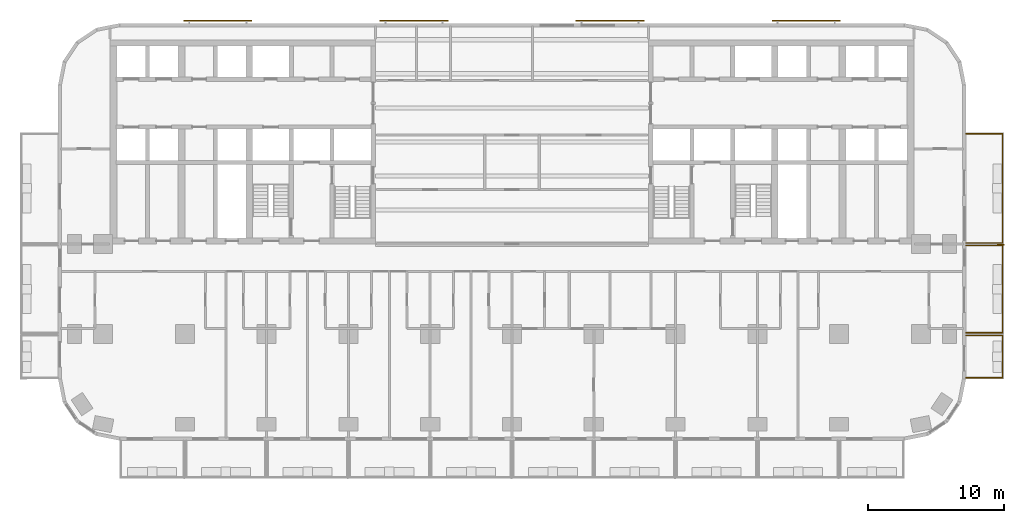
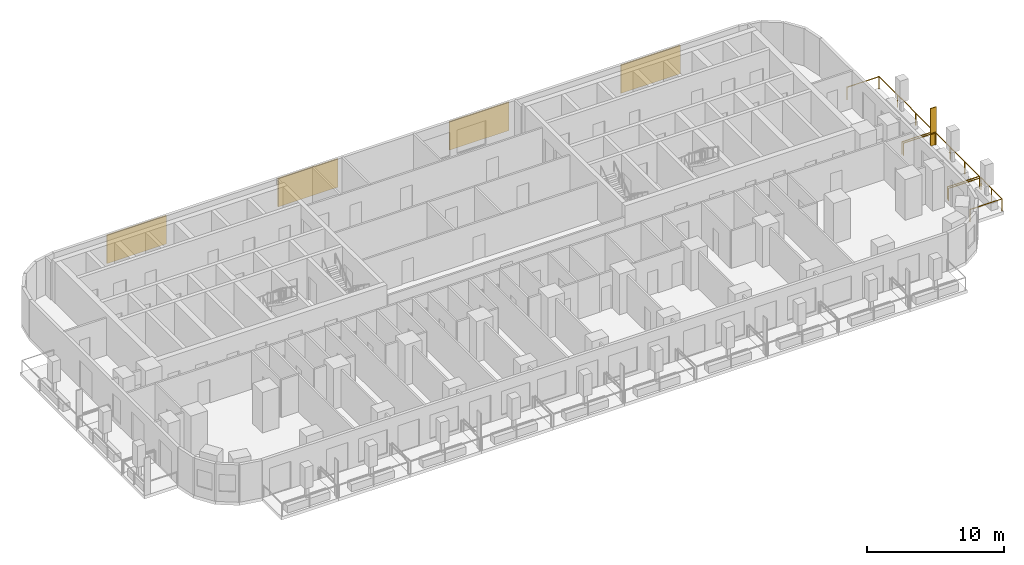
# One storey, part 12 of 13: 5 shading devices, 3 railings.
"""IFC4 building model written with IfcOpenShell, lengths in metres."""

from ifc_helpers import new_model, si_unit, direction, frame, origin, origin_2d, place, context, subcontext, project, spatial, rectangle, circle, extrude, material, layer, layer_set, type_object, element, save


model = new_model("IFC4")

# Units and contexts
model_context = context("Model", 3, precision=1e-05, world=origin(), true_north=direction((0.0, 1.0)))
body_context = subcontext(model_context, "Body", "Model", "MODEL_VIEW")
ifc_project = project(units=[si_unit("LENGTHUNIT", "METRE"), si_unit("AREAUNIT", "SQUARE_METRE"), si_unit("VOLUMEUNIT", "CUBIC_METRE"), si_unit("PLANEANGLEUNIT", "RADIAN"), si_unit("MASSUNIT", "GRAM", prefix="KILO")], contexts=[model_context])

# Site, building, storey
site_placement = place(None, origin())
site = spatial("IfcSite", under=ifc_project, at=site_placement, CompositionType="ELEMENT")
building_placement = place(site_placement, origin())
building = spatial("IfcBuilding", under=site, at=building_placement, Name="Torana Hotel and Residences", CompositionType="ELEMENT")
storey_placement = place(building_placement, frame((0.0, 0.0, 56.39990234375)))
storey = spatial("IfcBuildingStorey", under=building, at=storey_placement, Name="L13", CompositionType="ELEMENT", Elevation=56.39990234375)

# Shading device
ifc_material_1 = material(Name="Black powder coated aluminium", Category="aluminium")
ifc_layer_1 = layer(ifc_material_1, 0.080078125)
ifc_layer_set_1 = layer_set([ifc_layer_1], Name="FN1 VERTICAL FIN 500x80")
shading_device_type_1 = type_object("IfcShadingDeviceType", Name="FN1 VERTICAL FIN 500x80", PredefinedType="USERDEFINED", material=ifc_layer_set_1)
shading_device_placement = place(storey_placement, frame((35.85009765625, -15.0400390625, 0.0), z_axis=(0.0, 0.0, 1.0), x_axis=(0.0, -1.0, 0.0)))
element("IfcShadingDevice", 1, at=shading_device_placement, inside=storey, type_object=shading_device_type_1, Name="Fin 15", ObjectType="FIN", PredefinedType="USERDEFINED", context=body_context, shape_type="SweptSolid", body=[
    extrude(rectangle(XDim=0.080078125, YDim=0.5, at=origin_2d()), origin(), (0.0, 0.0, 1.0), 3.320068359375),
])

# Railings
ifc_material_2 = material(Name="Laminated glass balustrade with black handrail", Category="glass")
railing_type = type_object("IfcRailingType", Name="GR1 BALCONY GUARD 1100 GLASS", PredefinedType="GUARDRAIL", material=ifc_material_2)
railing_1_placement = place(storey_placement, frame((33.300048828125, -21.699951171875, 0.0)))
element("IfcRailing", 2, at=railing_1_placement, inside=storey, type_object=railing_type, Name="Balcony guard 14", PredefinedType="GUARDRAIL", context=body_context, shape_type="SweptSolid", body=[
    extrude(circle(Radius=0.02392578125, at=origin_2d()), frame((0.0, 0.0, 1.076171875), z_axis=(1.0, 0.0, 0.0), x_axis=(0.0, 1.0, 0.0)), (0.0, 0.0, 1.0), 2.699951171875),
    extrude(circle(Radius=0.02392578125, at=origin_2d()), frame((2.699951171875, 0.0, 1.076171875), z_axis=(0.0, -1.0, 0.0), x_axis=(1.0, 0.0, 0.0)), (0.0, 0.0, 1.0), 3.10009765625),
    extrude(circle(Radius=0.02392578125, at=origin_2d()), frame((2.699951171875, -3.10009765625, 1.076171875), z_axis=(-1.0, 0.0, 0.0), x_axis=(0.0, -1.0, 0.0)), (0.0, 0.0, 1.0), 2.699951171875),
    extrude(circle(Radius=0.02099609375, at=origin_2d()), origin(), (0.0, 0.0, 1.0), 1.052001953125),
    extrude(circle(Radius=0.02099609375, at=origin_2d()), frame((2.699951171875, 0.0, 0.0)), (0.0, 0.0, 1.0), 1.052001953125),
    extrude(circle(Radius=0.02099609375, at=origin_2d()), frame((2.699951171875, -1.550048828125, 0.0)), (0.0, 0.0, 1.0), 1.052001953125),
    extrude(circle(Radius=0.02099609375, at=origin_2d()), frame((2.699951171875, -3.10009765625, 0.0)), (0.0, 0.0, 1.0), 1.052001953125),
    extrude(circle(Radius=0.02099609375, at=origin_2d()), frame((0.0, -3.10009765625, 0.0)), (0.0, 0.0, 1.0), 1.052001953125),
])
railing_2_placement = place(storey_placement, frame((33.300048828125, -15.10009765625, 0.0)))
element("IfcRailing", 3, at=railing_2_placement, inside=storey, type_object=railing_type, Name="Balcony guard 15", PredefinedType="GUARDRAIL", context=body_context, shape_type="SweptSolid", body=[
    extrude(circle(Radius=0.02392578125, at=origin_2d()), frame((0.0, 0.0, 1.076171875), z_axis=(1.0, 0.0, 0.0), x_axis=(0.0, 1.0, 0.0)), (0.0, 0.0, 1.0), 2.699951171875),
    extrude(circle(Radius=0.02392578125, at=origin_2d()), frame((2.699951171875, 0.0, 1.076171875), z_axis=(0.0, -1.0, 0.0), x_axis=(1.0, 0.0, 0.0)), (0.0, 0.0, 1.0), 6.39990234375),
    extrude(circle(Radius=0.02392578125, at=origin_2d()), frame((2.699951171875, -6.39990234375, 1.076171875), z_axis=(-1.0, 0.0, 0.0), x_axis=(0.0, -1.0, 0.0)), (0.0, 0.0, 1.0), 2.699951171875),
    extrude(circle(Radius=0.02099609375, at=origin_2d()), origin(), (0.0, 0.0, 1.0), 1.052001953125),
    extrude(circle(Radius=0.02099609375, at=origin_2d()), frame((2.699951171875, 0.0, 0.0)), (0.0, 0.0, 1.0), 1.052001953125),
    extrude(circle(Radius=0.02099609375, at=origin_2d()), frame((2.699951171875, -2.13330078125, 0.0)), (0.0, 0.0, 1.0), 1.052001953125),
    extrude(circle(Radius=0.02099609375, at=origin_2d()), frame((2.699951171875, -4.2666015625, 0.0)), (0.0, 0.0, 1.0), 1.052001953125),
    extrude(circle(Radius=0.02099609375, at=origin_2d()), frame((2.699951171875, -6.39990234375, 0.0)), (0.0, 0.0, 1.0), 1.052001953125),
    extrude(circle(Radius=0.02099609375, at=origin_2d()), frame((0.0, -6.39990234375, 0.0)), (0.0, 0.0, 1.0), 1.052001953125),
])
railing_3_placement = place(storey_placement, frame((33.300048828125, -6.89990234375, 0.0)))
element("IfcRailing", 4, at=railing_3_placement, inside=storey, type_object=railing_type, Name="Balcony guard 16", PredefinedType="GUARDRAIL", context=body_context, shape_type="SweptSolid", body=[
    extrude(circle(Radius=0.02392578125, at=origin_2d()), frame((0.0, 0.0, 1.076171875), z_axis=(1.0, 0.0, 0.0), x_axis=(0.0, 1.0, 0.0)), (0.0, 0.0, 1.0), 2.699951171875),
    extrude(circle(Radius=0.02392578125, at=origin_2d()), frame((2.699951171875, 0.0, 1.076171875), z_axis=(0.0, -1.0, 0.0), x_axis=(1.0, 0.0, 0.0)), (0.0, 0.0, 1.0), 8.0),
    extrude(circle(Radius=0.02392578125, at=origin_2d()), frame((2.699951171875, -8.0, 1.076171875), z_axis=(-1.0, 0.0, 0.0), x_axis=(0.0, -1.0, 0.0)), (0.0, 0.0, 1.0), 2.699951171875),
    extrude(circle(Radius=0.02099609375, at=origin_2d()), origin(), (0.0, 0.0, 1.0), 1.052001953125),
    extrude(circle(Radius=0.02099609375, at=origin_2d()), frame((2.699951171875, 0.0, 0.0)), (0.0, 0.0, 1.0), 1.052001953125),
    extrude(circle(Radius=0.02099609375, at=origin_2d()), frame((2.699951171875, -2.666748046875, 0.0)), (0.0, 0.0, 1.0), 1.052001953125),
    extrude(circle(Radius=0.02099609375, at=origin_2d()), frame((2.699951171875, -5.333251953125, 0.0)), (0.0, 0.0, 1.0), 1.052001953125),
    extrude(circle(Radius=0.02099609375, at=origin_2d()), frame((2.699951171875, -8.0, 0.0)), (0.0, 0.0, 1.0), 1.052001953125),
    extrude(circle(Radius=0.02099609375, at=origin_2d()), frame((0.0, -8.0, 0.0)), (0.0, 0.0, 1.0), 1.052001953125),
])

# Shading devices
ifc_material_3 = material(Name="Concrete C40/50 precast", Category="concrete")
ifc_layer_2 = layer(ifc_material_3, 0.10009765625)
ifc_layer_set_2 = layer_set([ifc_layer_2], Name="SC1 PERFORATED BLOCK SCREEN PANEL 100")
shading_device_type_2 = type_object("IfcShadingDeviceType", Name="SC1 PERFORATED BLOCK SCREEN PANEL 100", PredefinedType="USERDEFINED", material=ifc_layer_set_2)
for number, where, z_axis, x_axis, name in (
    (5, (21.58154296875, 1.39990234375, 0.5), (0.0, 0.0, 1.0), (-1.0, 0.0, 0.0), "Perforated block screen L13"),
    (6, (7.19384765625, 1.39990234375, 0.5), (0.0, 0.0, 1.0), (-1.0, 0.0, 0.0), "Perforated block screen L13"),
    (7, (-7.19384765625, 1.39990234375, 0.5), (0.0, 0.0, 1.0), (-1.0, 0.0, 0.0), "Perforated block screen L13"),
    (8, (-21.58154296875, 1.39990234375, 0.5), (0.0, 0.0, 1.0), (-1.0, 0.0, 0.0), "Perforated block screen L13"),
):
    element("IfcShadingDevice", number, at=place(storey_placement, frame(where, z_axis=z_axis, x_axis=x_axis)), inside=storey, type_object=shading_device_type_2, Name=name, ObjectType="SCREEN", PredefinedType="USERDEFINED", context=body_context, shape_type="SweptSolid", body=[
        extrude(rectangle(XDim=5.0, YDim=0.10009765625, at=origin_2d()), origin(), (0.0, 0.0, 1.0), 2.52001953125),
    ])

save(model, "model.ifc")
